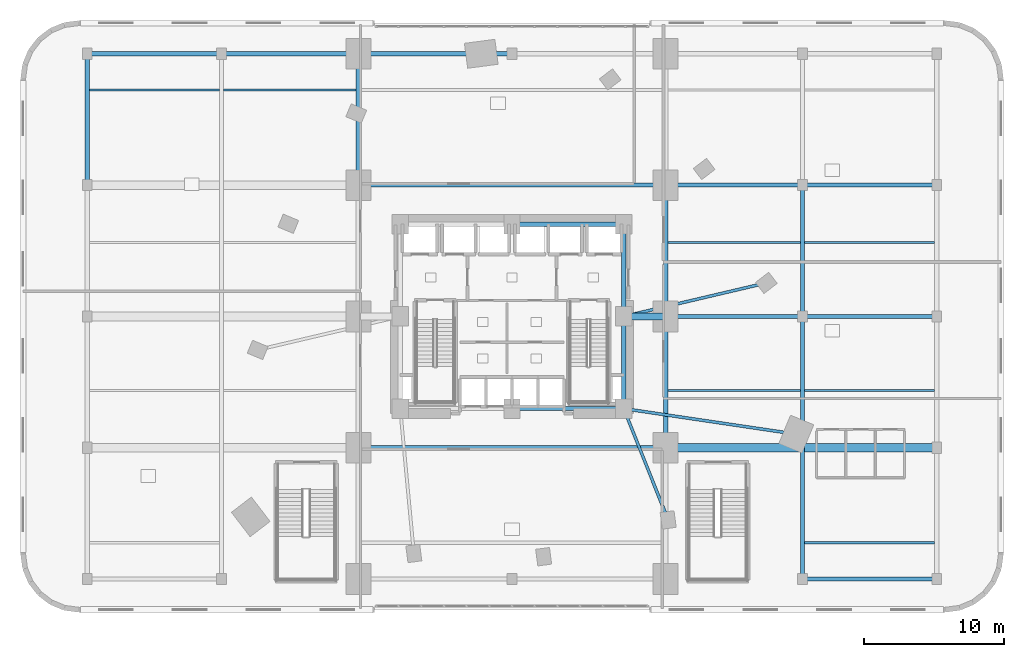
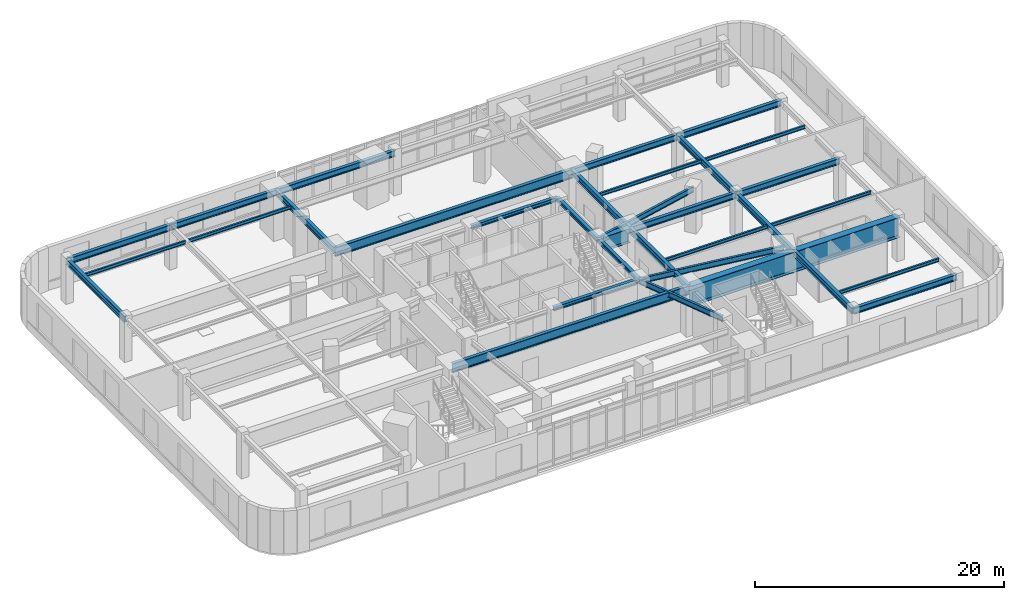
# One storey, part 7 of 19: 32 beams.
"""IFC4 building model written with IfcOpenShell, lengths in metres."""

from ifc_helpers import new_model, si_unit, direction, frame, origin, origin_2d, place, context, subcontext, project, spatial, i_section, extrude, material, material_profile, profile_set, type_object, element, save


model = new_model("IFC4")

# Units and contexts
model_context = context("Model", 3, precision=1e-05, world=origin(), true_north=direction((0.0, 1.0)))
body_context = subcontext(model_context, "Body", "Model", "MODEL_VIEW")
ifc_project = project(units=[si_unit("LENGTHUNIT", "METRE"), si_unit("AREAUNIT", "SQUARE_METRE"), si_unit("VOLUMEUNIT", "CUBIC_METRE"), si_unit("PLANEANGLEUNIT", "RADIAN"), si_unit("MASSUNIT", "GRAM", prefix="KILO")], contexts=[model_context])

# Site, building, storey
site_placement = place(None, origin())
site = spatial("IfcSite", under=ifc_project, at=site_placement, CompositionType="ELEMENT")
building_placement = place(site_placement, origin())
building = spatial("IfcBuilding", under=site, at=building_placement, Name="Ndelora Gate Hotel", CompositionType="ELEMENT")
storey_placement = place(building_placement, frame((0.0, 0.0, 21.5)))
storey = spatial("IfcBuildingStorey", under=building, at=storey_placement, Name="L04", CompositionType="ELEMENT", Elevation=21.5)

# Beams
ifc_material_1 = material(Name="Steel S460", Category="steel")
ifc_material_profile_1 = material_profile(ifc_material_1, i_section(OverallWidth=0.300048828125, OverallDepth=0.89990234375, WebThickness=0.0185546875, FlangeThickness=0.034912109375, FilletRadius=0.030029296875, at=origin_2d()), Name="HEB 900")
ifc_profile_set_1 = profile_set([ifc_material_profile_1], Name="Steel S460")
beam_type_1 = type_object("IfcBeamType", Name="BM-BELT-900", PredefinedType="SPANDREL", material=ifc_profile_set_1)
for number, where, z_axis, x_axis, name in (
    (1, (-11.0, -9.39990234375, 3.77001953125), (1.0, 0.0, 0.0), (0.0, 1.0, 0.0), "L04 structural beam BB-1"),
    (2, (-11.0, 9.39990234375, 3.77001953125), (1.0, 0.0, 0.0), (0.0, 1.0, 0.0), "L04 structural beam BB-1"),
):
    element("IfcBeam", number, at=place(storey_placement, frame(where, z_axis=z_axis, x_axis=x_axis)), inside=storey, type_object=beam_type_1, Name=name, PredefinedType="SPANDREL", context=body_context, shape_type="SweptSolid", body=[
        extrude(i_section(OverallWidth=0.300048828125, OverallDepth=0.89990234375, WebThickness=0.0185546875, FlangeThickness=0.034912109375, FilletRadius=0.030029296875, at=origin_2d()), origin(), (0.0, 0.0, 1.0), 22.0),
    ])
ifc_material_2 = material(Name="Steel S355", Category="steel")
ifc_material_profile_2 = material_profile(ifc_material_2, i_section(OverallWidth=0.300048828125, OverallDepth=0.39990234375, WebThickness=0.013427734375, FlangeThickness=0.02392578125, FilletRadius=0.027099609375, at=origin_2d()), Name="HEB 400")
ifc_profile_set_2 = profile_set([ifc_material_profile_2], Name="Steel S355")
beam_type_2 = type_object("IfcBeamType", Name="BM-CORE-400", PredefinedType="BEAM", material=ifc_profile_set_2)
beam_1_placement = place(storey_placement, frame((0.0, 6.60009765625, 4.02001953125), z_axis=(1.0, 0.0, 0.0), x_axis=(0.0, 1.0, 0.0)))
element("IfcBeam", 3, at=beam_1_placement, inside=storey, type_object=beam_type_2, Name="L04 Core Tie Girder CC6-CC5", PredefinedType="BEAM", context=body_context, shape_type="SweptSolid", body=[
    extrude(i_section(OverallWidth=0.300048828125, OverallDepth=0.39990234375, WebThickness=0.013427734375, FlangeThickness=0.02392578125, FilletRadius=0.027099609375, at=origin_2d()), origin(), (0.0, 0.0, 1.0), 8.0),
])
for number, where, z_axis, x_axis, name in (
    (4, (8.0, -6.60009765625, 4.02001953125), (0.0, 1.0, 0.0), (-1.0, 0.0, 0.0), "L04 Core Tie Girder CC3-CC4"),
    (5, (8.0, 0.0, 4.02001953125), (0.0, 1.0, 0.0), (-1.0, 0.0, 0.0), "L04 Core Tie Girder CC4-CC5"),
):
    element("IfcBeam", number, at=place(storey_placement, frame(where, z_axis=z_axis, x_axis=x_axis)), inside=storey, type_object=beam_type_2, Name=name, PredefinedType="BEAM", context=body_context, shape_type="SweptSolid", body=[
        extrude(i_section(OverallWidth=0.300048828125, OverallDepth=0.39990234375, WebThickness=0.013427734375, FlangeThickness=0.02392578125, FilletRadius=0.027099609375, at=origin_2d()), origin(), (0.0, 0.0, 1.0), 6.60009765625),
    ])
beam_2_placement = place(storey_placement, frame((0.0, -6.60009765625, 4.02001953125), z_axis=(1.0, 0.0, 0.0), x_axis=(0.0, 1.0, 0.0)))
element("IfcBeam", 6, at=beam_2_placement, inside=storey, type_object=beam_type_2, Name="L04 Core Tie Girder CC2-CC3", PredefinedType="BEAM", context=body_context, shape_type="SweptSolid", body=[
    extrude(i_section(OverallWidth=0.300048828125, OverallDepth=0.39990234375, WebThickness=0.013427734375, FlangeThickness=0.02392578125, FilletRadius=0.027099609375, at=origin_2d()), origin(), (0.0, 0.0, 1.0), 8.0),
])
ifc_material_profile_3 = material_profile(ifc_material_2, i_section(OverallWidth=0.159912109375, OverallDepth=0.330078125, WebThickness=0.007568359375, FlangeThickness=0.011474609375, FilletRadius=0.01806640625, at=origin_2d()), Name="IPE 330")
ifc_profile_set_3 = profile_set([ifc_material_profile_3], Name="Steel S355")
beam_type_3 = type_object("IfcBeamType", Name="BM-JST-330", PredefinedType="JOIST", material=ifc_profile_set_3)
beam_3_placement = place(storey_placement, frame((20.949951171875, -16.199951171875, 4.054931640625), z_axis=(1.0, 0.0, 0.0), x_axis=(0.0, 1.0, 0.0)))
element("IfcBeam", 7, at=beam_3_placement, inside=storey, type_object=beam_type_3, Name="L04 Podium Composite Secondary Joist 5", PredefinedType="JOIST", context=body_context, shape_type="SweptSolid", body=[
    extrude(i_section(OverallWidth=0.159912109375, OverallDepth=0.330078125, WebThickness=0.007568359375, FlangeThickness=0.011474609375, FilletRadius=0.01806640625, at=origin_2d()), origin(), (0.0, 0.0, 1.0), 9.300048828125),
])
beam_4_placement = place(storey_placement, frame((11.14990234375, -5.300048828125, 4.054931640625), z_axis=(1.0, 0.0, 0.0), x_axis=(0.0, 1.0, 0.0)))
element("IfcBeam", 8, at=beam_4_placement, inside=storey, type_object=beam_type_3, Name="L04 Podium Composite Secondary Joist 4", PredefinedType="JOIST", context=body_context, shape_type="SweptSolid", body=[
    extrude(i_section(OverallWidth=0.159912109375, OverallDepth=0.330078125, WebThickness=0.007568359375, FlangeThickness=0.011474609375, FilletRadius=0.01806640625, at=origin_2d()), origin(), (0.0, 0.0, 1.0), 9.5),
])
beam_5_placement = place(storey_placement, frame((20.949951171875, -5.300048828125, 4.054931640625), z_axis=(1.0, 0.0, 0.0), x_axis=(0.0, 1.0, 0.0)))
element("IfcBeam", 9, at=beam_5_placement, inside=storey, type_object=beam_type_3, Name="L04 Podium Composite Secondary Joist 5", PredefinedType="JOIST", context=body_context, shape_type="SweptSolid", body=[
    extrude(i_section(OverallWidth=0.159912109375, OverallDepth=0.330078125, WebThickness=0.007568359375, FlangeThickness=0.011474609375, FilletRadius=0.01806640625, at=origin_2d()), origin(), (0.0, 0.0, 1.0), 9.300048828125),
])
beam_6_placement = place(storey_placement, frame((11.14990234375, 5.300048828125, 4.054931640625), z_axis=(1.0, 0.0, 0.0), x_axis=(0.0, 1.0, 0.0)))
element("IfcBeam", 10, at=beam_6_placement, inside=storey, type_object=beam_type_3, Name="L04 Podium Composite Secondary Joist 4", PredefinedType="JOIST", context=body_context, shape_type="SweptSolid", body=[
    extrude(i_section(OverallWidth=0.159912109375, OverallDepth=0.330078125, WebThickness=0.007568359375, FlangeThickness=0.011474609375, FilletRadius=0.01806640625, at=origin_2d()), origin(), (0.0, 0.0, 1.0), 9.5),
])
for number, where, z_axis, x_axis, name in (
    (11, (20.949951171875, 5.300048828125, 4.054931640625), (1.0, 0.0, 0.0), (0.0, 1.0, 0.0), "L04 Podium Composite Secondary Joist 5"),
    (12, (-30.25, 16.199951171875, 4.054931640625), (1.0, 0.0, 0.0), (0.0, 1.0, 0.0), "L04 Podium Composite Secondary Joist 1"),
):
    element("IfcBeam", number, at=place(storey_placement, frame(where, z_axis=z_axis, x_axis=x_axis)), inside=storey, type_object=beam_type_3, Name=name, PredefinedType="JOIST", context=body_context, shape_type="SweptSolid", body=[
        extrude(i_section(OverallWidth=0.159912109375, OverallDepth=0.330078125, WebThickness=0.007568359375, FlangeThickness=0.011474609375, FilletRadius=0.01806640625, at=origin_2d()), origin(), (0.0, 0.0, 1.0), 9.300048828125),
    ])
beam_7_placement = place(storey_placement, frame((-20.64990234375, 16.199951171875, 4.054931640625), z_axis=(1.0, 0.0, 0.0), x_axis=(0.0, 1.0, 0.0)))
element("IfcBeam", 13, at=beam_7_placement, inside=storey, type_object=beam_type_3, Name="L04 Podium Composite Secondary Joist 2", PredefinedType="JOIST", context=body_context, shape_type="SweptSolid", body=[
    extrude(i_section(OverallWidth=0.159912109375, OverallDepth=0.330078125, WebThickness=0.007568359375, FlangeThickness=0.011474609375, FilletRadius=0.01806640625, at=origin_2d()), origin(), (0.0, 0.0, 1.0), 9.5),
])
ifc_material_profile_4 = material_profile(ifc_material_2, i_section(OverallWidth=0.300048828125, OverallDepth=0.60009765625, WebThickness=0.015380859375, FlangeThickness=0.030029296875, FilletRadius=0.027099609375, at=origin_2d()), Name="HEB 600")
ifc_profile_set_4 = profile_set([ifc_material_profile_4], Name="Steel S355")
beam_type_4 = type_object("IfcBeamType", Name="BM-POD-600", PredefinedType="BEAM", material=ifc_profile_set_4)
for number, where, z_axis, x_axis, name in (
    (14, (-30.39990234375, 9.39990234375, 3.919921875), (0.0, 1.0, 0.0), (-1.0, 0.0, 0.0), "L04 Podium Longitudinal Girder X=-30.4"),
    (15, (-11.0, 9.39990234375, 3.919921875), (0.0, 1.0, 0.0), (-1.0, 0.0, 0.0), "L04 Podium Longitudinal Girder X=-11.0"),
):
    element("IfcBeam", number, at=place(storey_placement, frame(where, z_axis=z_axis, x_axis=x_axis)), inside=storey, type_object=beam_type_4, Name=name, PredefinedType="BEAM", context=body_context, shape_type="SweptSolid", body=[
        extrude(i_section(OverallWidth=0.300048828125, OverallDepth=0.60009765625, WebThickness=0.015380859375, FlangeThickness=0.030029296875, FilletRadius=0.027099609375, at=origin_2d()), origin(), (0.0, 0.0, 1.0), 9.400146484375),
    ])
for number, where, z_axis, x_axis, name in (
    (16, (11.0, -9.39990234375, 3.919921875), (0.0, 1.0, 0.0), (-1.0, 0.0, 0.0), "L04 Podium Longitudinal Girder X=+11.0"),
    (17, (11.0, 0.0, 3.919921875), (0.0, 1.0, 0.0), (-1.0, 0.0, 0.0), "L04 Podium Longitudinal Girder X=+11.0"),
):
    element("IfcBeam", number, at=place(storey_placement, frame(where, z_axis=z_axis, x_axis=x_axis)), inside=storey, type_object=beam_type_4, Name=name, PredefinedType="BEAM", context=body_context, shape_type="SweptSolid", body=[
        extrude(i_section(OverallWidth=0.300048828125, OverallDepth=0.60009765625, WebThickness=0.015380859375, FlangeThickness=0.030029296875, FilletRadius=0.027099609375, at=origin_2d()), origin(), (0.0, 0.0, 1.0), 9.39990234375),
    ])
beam_8_placement = place(storey_placement, frame((20.800048828125, -18.800048828125, 3.919921875), z_axis=(0.0, 1.0, 0.0), x_axis=(-1.0, 0.0, 0.0)))
element("IfcBeam", 18, at=beam_8_placement, inside=storey, type_object=beam_type_4, Name="L04 Podium Longitudinal Girder X=+20.8", PredefinedType="BEAM", context=body_context, shape_type="SweptSolid", body=[
    extrude(i_section(OverallWidth=0.300048828125, OverallDepth=0.60009765625, WebThickness=0.015380859375, FlangeThickness=0.030029296875, FilletRadius=0.027099609375, at=origin_2d()), origin(), (0.0, 0.0, 1.0), 18.800048828125),
])
beam_9_placement = place(storey_placement, frame((20.800048828125, 0.0, 3.919921875), z_axis=(0.0, 1.0, 0.0), x_axis=(-1.0, 0.0, 0.0)))
element("IfcBeam", 19, at=beam_9_placement, inside=storey, type_object=beam_type_4, Name="L04 Podium Longitudinal Girder X=+20.8", PredefinedType="BEAM", context=body_context, shape_type="SweptSolid", body=[
    extrude(i_section(OverallWidth=0.300048828125, OverallDepth=0.60009765625, WebThickness=0.015380859375, FlangeThickness=0.030029296875, FilletRadius=0.027099609375, at=origin_2d()), origin(), (0.0, 0.0, 1.0), 9.39990234375),
])
beam_10_placement = place(storey_placement, frame((20.800048828125, -18.800048828125, 3.919921875), z_axis=(1.0, 0.0, 0.0), x_axis=(0.0, 1.0, 0.0)))
element("IfcBeam", 20, at=beam_10_placement, inside=storey, type_object=beam_type_4, Name="L04 Podium Transverse Girder Y=-18.8", PredefinedType="BEAM", context=body_context, shape_type="SweptSolid", body=[
    extrude(i_section(OverallWidth=0.300048828125, OverallDepth=0.60009765625, WebThickness=0.015380859375, FlangeThickness=0.030029296875, FilletRadius=0.027099609375, at=origin_2d()), origin(), (0.0, 0.0, 1.0), 9.599853515625),
])
beam_11_placement = place(storey_placement, frame((11.0, 0.0, 3.919921875), z_axis=(1.0, 0.0, 0.0), x_axis=(0.0, 1.0, 0.0)))
element("IfcBeam", 21, at=beam_11_placement, inside=storey, type_object=beam_type_4, Name="L04 Podium Transverse Girder Y=+0.0", PredefinedType="BEAM", context=body_context, shape_type="SweptSolid", body=[
    extrude(i_section(OverallWidth=0.300048828125, OverallDepth=0.60009765625, WebThickness=0.015380859375, FlangeThickness=0.030029296875, FilletRadius=0.027099609375, at=origin_2d()), origin(), (0.0, 0.0, 1.0), 9.800048828125),
])
beam_12_placement = place(storey_placement, frame((20.800048828125, 0.0, 3.919921875), z_axis=(1.0, 0.0, 0.0), x_axis=(0.0, 1.0, 0.0)))
element("IfcBeam", 22, at=beam_12_placement, inside=storey, type_object=beam_type_4, Name="L04 Podium Transverse Girder Y=+0.0", PredefinedType="BEAM", context=body_context, shape_type="SweptSolid", body=[
    extrude(i_section(OverallWidth=0.300048828125, OverallDepth=0.60009765625, WebThickness=0.015380859375, FlangeThickness=0.030029296875, FilletRadius=0.027099609375, at=origin_2d()), origin(), (0.0, 0.0, 1.0), 9.599853515625),
])
beam_13_placement = place(storey_placement, frame((11.0, 9.39990234375, 3.919921875), z_axis=(1.0, 0.0, 0.0), x_axis=(0.0, 1.0, 0.0)))
element("IfcBeam", 23, at=beam_13_placement, inside=storey, type_object=beam_type_4, Name="L04 Podium Transverse Girder Y=+9.4", PredefinedType="BEAM", context=body_context, shape_type="SweptSolid", body=[
    extrude(i_section(OverallWidth=0.300048828125, OverallDepth=0.60009765625, WebThickness=0.015380859375, FlangeThickness=0.030029296875, FilletRadius=0.027099609375, at=origin_2d()), origin(), (0.0, 0.0, 1.0), 9.800048828125),
])
for number, where, z_axis, x_axis, name in (
    (24, (20.800048828125, 9.39990234375, 3.919921875), (1.0, 0.0, 0.0), (0.0, 1.0, 0.0), "L04 Podium Transverse Girder Y=+9.4"),
    (25, (-30.39990234375, 18.800048828125, 3.919921875), (1.0, 0.0, 0.0), (0.0, 1.0, 0.0), "L04 Podium Transverse Girder Y=+18.8"),
):
    element("IfcBeam", number, at=place(storey_placement, frame(where, z_axis=z_axis, x_axis=x_axis)), inside=storey, type_object=beam_type_4, Name=name, PredefinedType="BEAM", context=body_context, shape_type="SweptSolid", body=[
        extrude(i_section(OverallWidth=0.300048828125, OverallDepth=0.60009765625, WebThickness=0.015380859375, FlangeThickness=0.030029296875, FilletRadius=0.027099609375, at=origin_2d()), origin(), (0.0, 0.0, 1.0), 9.599853515625),
    ])
beam_14_placement = place(storey_placement, frame((-20.800048828125, 18.800048828125, 3.919921875), z_axis=(1.0, 0.0, 0.0), x_axis=(0.0, 1.0, 0.0)))
element("IfcBeam", 26, at=beam_14_placement, inside=storey, type_object=beam_type_4, Name="L04 Podium Transverse Girder Y=+18.8", PredefinedType="BEAM", context=body_context, shape_type="SweptSolid", body=[
    extrude(i_section(OverallWidth=0.300048828125, OverallDepth=0.60009765625, WebThickness=0.015380859375, FlangeThickness=0.030029296875, FilletRadius=0.027099609375, at=origin_2d()), origin(), (0.0, 0.0, 1.0), 9.800048828125),
])
beam_15_placement = place(storey_placement, frame((-11.0, 18.800048828125, 3.919921875), z_axis=(1.0, 0.0, 0.0), x_axis=(0.0, 1.0, 0.0)))
element("IfcBeam", 27, at=beam_15_placement, inside=storey, type_object=beam_type_4, Name="L04 Podium Transverse Girder Y=+18.8", PredefinedType="BEAM", context=body_context, shape_type="SweptSolid", body=[
    extrude(i_section(OverallWidth=0.300048828125, OverallDepth=0.60009765625, WebThickness=0.015380859375, FlangeThickness=0.030029296875, FilletRadius=0.027099609375, at=origin_2d()), origin(), (0.0, 0.0, 1.0), 11.0),
])
ifc_material_profile_5 = material_profile(ifc_material_2, i_section(OverallWidth=0.2099609375, OverallDepth=0.550048828125, WebThickness=0.010986328125, FlangeThickness=0.01708984375, FilletRadius=0.02392578125, at=origin_2d()), Name="IPE 550")
ifc_profile_set_5 = profile_set([ifc_material_profile_5], Name="Steel S355")
beam_type_5 = type_object("IfcBeamType", Name="BM-RAD-550", PredefinedType="BEAM", material=ifc_profile_set_5)
beam_16_placement = place(storey_placement, frame((8.0, -6.60009765625, 3.945068359375), z_axis=(0.37056142644, -0.92880796144, 0.0), x_axis=(0.92880796144, 0.37056142644, 0.0)))
element("IfcBeam", 28, at=beam_16_placement, inside=storey, type_object=beam_type_5, Name="L04 Tower Root Radial Tie Beam 8", PredefinedType="BEAM", context=body_context, shape_type="SweptSolid", body=[
    extrude(i_section(OverallWidth=0.2099609375, OverallDepth=0.550048828125, WebThickness=0.010986328125, FlangeThickness=0.01708984375, FilletRadius=0.02392578125, at=origin_2d()), origin(), (0.0, 0.0, 1.0), 8.580078125),
])
beam_17_placement = place(storey_placement, frame((8.0, -6.60009765625, 3.945068359375), z_axis=(0.989209761041, -0.146506138649, 0.0), x_axis=(0.146506138649, 0.989209761041, 0.0)))
element("IfcBeam", 29, at=beam_17_placement, inside=storey, type_object=beam_type_5, Name="L04 Tower Root Radial Tie Beam 9", PredefinedType="BEAM", context=body_context, shape_type="SweptSolid", body=[
    extrude(i_section(OverallWidth=0.2099609375, OverallDepth=0.550048828125, WebThickness=0.010986328125, FlangeThickness=0.01708984375, FilletRadius=0.02392578125, at=origin_2d()), origin(), (0.0, 0.0, 1.0), 12.48486328125),
])
beam_18_placement = place(storey_placement, frame((8.0, 0.0, 3.945068359375), z_axis=(0.973517848051, 0.22861102232, 0.0), x_axis=(-0.22861102232, 0.973517848051, 0.0)))
element("IfcBeam", 30, at=beam_18_placement, inside=storey, type_object=beam_type_5, Name="L04 Tower Root Radial Tie Beam 10", PredefinedType="BEAM", context=body_context, shape_type="SweptSolid", body=[
    extrude(i_section(OverallWidth=0.2099609375, OverallDepth=0.550048828125, WebThickness=0.010986328125, FlangeThickness=0.01708984375, FilletRadius=0.02392578125, at=origin_2d()), origin(), (0.0, 0.0, 1.0), 10.48486328125),
])
ifc_material_profile_6 = material_profile(ifc_material_1, i_section(OverallWidth=0.5, OverallDepth=1.39990234375, WebThickness=0.02392578125, FlangeThickness=0.035888671875, FilletRadius=0.02197265625, at=origin_2d()), Name="PG 1400x500x36")
ifc_profile_set_6 = profile_set([ifc_material_profile_6], Name="Steel S460")
beam_type_6 = type_object("IfcBeamType", Name="BM-TR-1400", PredefinedType="BEAM", material=ifc_profile_set_6)
beam_19_placement = place(storey_placement, frame((8.5, 0.0, 3.52001953125), z_axis=(1.0, 0.0, 0.0), x_axis=(0.0, 1.0, 0.0)))
element("IfcBeam", 31, at=beam_19_placement, inside=storey, type_object=beam_type_6, Name="L04 structural beam TG-3", PredefinedType="BEAM", context=body_context, shape_type="SweptSolid", body=[
    extrude(i_section(OverallWidth=0.5, OverallDepth=1.39990234375, WebThickness=0.02392578125, FlangeThickness=0.035888671875, FilletRadius=0.02197265625, at=origin_2d()), origin(), (0.0, 0.0, 1.0), 2.35009765625),
])
ifc_material_profile_7 = material_profile(ifc_material_1, i_section(OverallWidth=0.6201171875, OverallDepth=2.0, WebThickness=0.028076171875, FlangeThickness=0.0400390625, FilletRadius=0.02392578125, at=origin_2d()), Name="PG 2000x620x40")
ifc_profile_set_7 = profile_set([ifc_material_profile_7], Name="Steel S460")
beam_type_7 = type_object("IfcBeamType", Name="BM-TR-2000", PredefinedType="BEAM", material=ifc_profile_set_7)
beam_20_placement = place(storey_placement, frame((11.0, -9.39990234375, 3.219970703125), z_axis=(1.0, 0.0, 0.0), x_axis=(0.0, 1.0, 0.0)))
element("IfcBeam", 32, at=beam_20_placement, inside=storey, type_object=beam_type_7, Name="L04 Podium Transverse Girder Y=-9.4", PredefinedType="BEAM", context=body_context, shape_type="SweptSolid", body=[
    extrude(i_section(OverallWidth=0.6201171875, OverallDepth=2.0, WebThickness=0.028076171875, FlangeThickness=0.0400390625, FilletRadius=0.02392578125, at=origin_2d()), origin(), (0.0, 0.0, 1.0), 19.39990234375),
])

save(model, "model.ifc")
